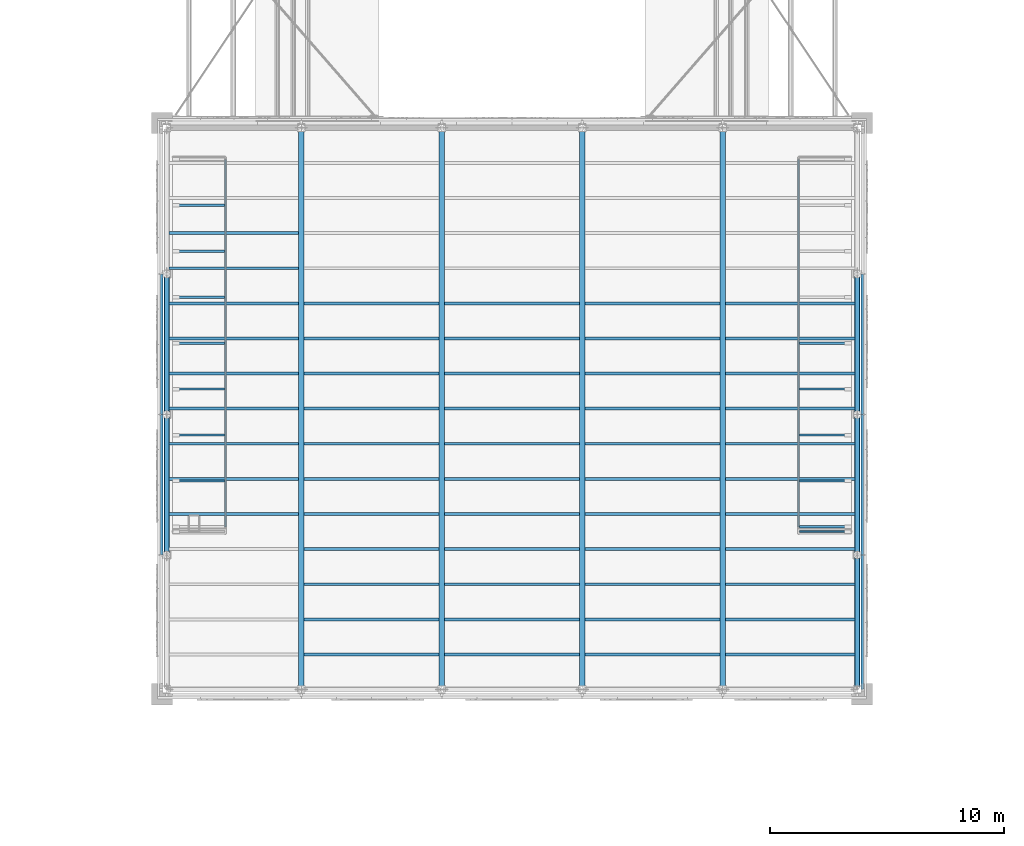
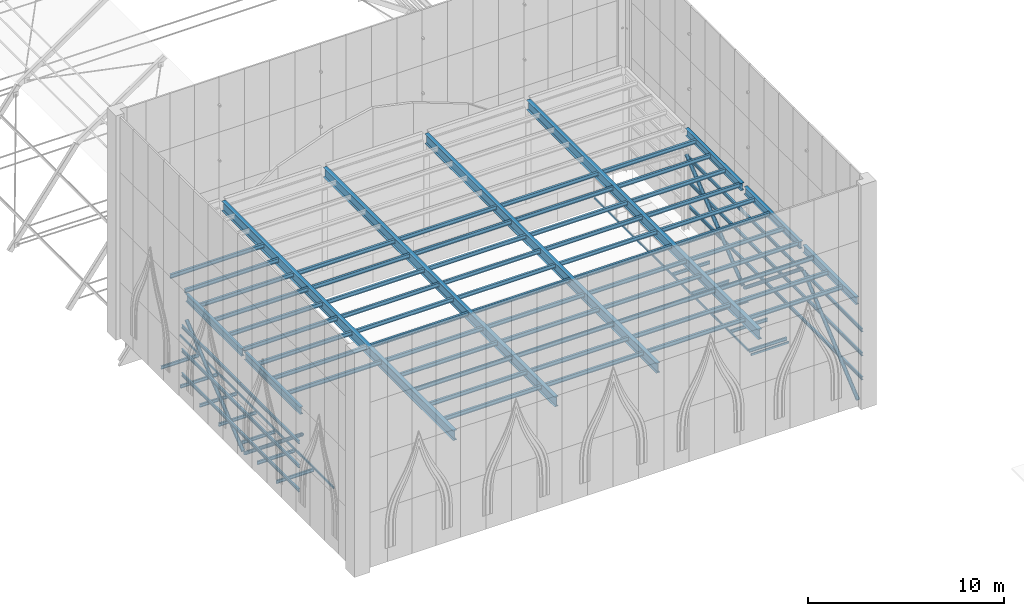
# One storey, part 3 of 43: 92 beams, 5 members.
"""IFC4 building model written with IfcOpenShell, lengths in metres."""

import ifcopenshell
import ifcopenshell.guid

model = None  # the IFC model being written
_history = None  # IfcOwnerHistory: only IFC2X3 demands one
_inside = {}  # id of a spatial element -> (the spatial element, [elements in it])
_under = {}  # id of a project, library or spatial element -> (it, [spatial elements below it])
_declared = {}  # id of a project -> (the project, [libraries it declares])
_typed = {}  # id of a type object -> (the type object, [elements of that type])
_made_of = {}  # id of a material, layer set ... -> (it, [elements and type objects made of it])


def new_model(schema):
    """Start an empty IFC model of exactly this schema.

    Asked for "IFC4X3", IfcOpenShell would pick the latest addendum, in which some entities
    have other attributes; the version numbers below select the first issue.
    IFC2X3 requires an IfcOwnerHistory on every rooted entity: one is made here for all.
    """
    global model, _history
    if schema == "IFC4X3":
        model = ifcopenshell.file(schema_version=(4, 3, 0, 0))
    else:
        model = ifcopenshell.file(schema=schema)
    _inside.clear()
    _under.clear()
    _declared.clear()
    _typed.clear()
    _made_of.clear()
    _history = None
    if model.schema == "IFC2X3":
        org = make("IfcOrganization", Name="unknown")
        user = make(
            "IfcPersonAndOrganization",
            ThePerson=make("IfcPerson", FamilyName="unknown"),
            TheOrganization=org,
        )
        app = make(
            "IfcApplication",
            ApplicationDeveloper=org,
            Version="unknown",
            ApplicationFullName="unknown",
            ApplicationIdentifier="unknown",
        )
        _history = make(
            "IfcOwnerHistory",
            OwningUser=user,
            OwningApplication=app,
            ChangeAction="ADDED",
            CreationDate=0,
        )
    return model


def make(cls, **values):
    """One entity of the class cls with the attributes given. An attribute that is None is left unset."""
    return model.create_entity(
        cls, **{name: value for name, value in values.items() if value is not None}
    )


def rooted(cls, **values):
    """An entity with a GlobalId (a new one), such as an element, a storey or a relation."""
    return make(cls, GlobalId=ifcopenshell.guid.new(), OwnerHistory=_history, **values)


def si_unit(unit_type, name, prefix=None):
    """IfcSIUnit, for example si_unit("LENGTHUNIT", "METRE", prefix="MILLI")."""
    return make("IfcSIUnit", UnitType=unit_type, Prefix=prefix, Name=name)


def assignment(units):
    """IfcUnitAssignment: the units of a project."""
    return None if units is None else make("IfcUnitAssignment", Units=units)


def point(xyz):
    """IfcCartesianPoint."""
    return None if xyz is None else make("IfcCartesianPoint", Coordinates=xyz)


def direction(xyz):
    """IfcDirection."""
    return None if xyz is None else make("IfcDirection", DirectionRatios=xyz)


def frame(location, z_axis=None, x_axis=None):
    """IfcAxis2Placement3D, a coordinate frame: its origin and axes. An axis left out is left unset."""
    return make(
        "IfcAxis2Placement3D",
        Location=point(location),
        Axis=direction(z_axis),
        RefDirection=direction(x_axis),
    )


def frame_2d(location, x_axis=None):
    """IfcAxis2Placement2D, a coordinate frame in the plane: its origin and x axis."""
    return make(
        "IfcAxis2Placement2D", Location=point(location), RefDirection=direction(x_axis)
    )


def origin():
    """The frame at (0, 0, 0) with its axes left unset."""
    return frame((0.0, 0.0, 0.0))


def origin_2d():
    """The frame at (0, 0) in the plane with its x axis left unset."""
    return frame_2d((0.0, 0.0))


def place(relative_to, where):
    """IfcLocalPlacement: puts the frame where relative to a parent placement (None: the world)."""
    return make(
        "IfcLocalPlacement", PlacementRelTo=relative_to, RelativePlacement=where
    )


def context(
    kind, dimensions, precision=None, world=None, true_north=None, identifier=None
):
    """IfcGeometricRepresentationContext, for example the 3D "Model" context."""
    return make(
        "IfcGeometricRepresentationContext",
        ContextIdentifier=identifier,
        ContextType=kind,
        CoordinateSpaceDimension=dimensions,
        Precision=precision,
        WorldCoordinateSystem=world,
        TrueNorth=true_north,
    )


def subcontext(parent, identifier, kind, view, scale=None):
    """IfcGeometricRepresentationSubContext, for example "Body" below "Model"."""
    return make(
        "IfcGeometricRepresentationSubContext",
        ContextIdentifier=identifier,
        ContextType=kind,
        ParentContext=parent,
        TargetScale=scale,
        TargetView=view,
    )


def project(units=None, contexts=None):
    """IfcProject with its units and contexts."""
    return rooted(
        "IfcProject",
        Name="project",
        RepresentationContexts=contexts,
        UnitsInContext=assignment(units),
    )


def spatial(cls, under=None, at=None, **own):
    """A site, building, storey or space (cls), placed at a placement, below another one or the project."""
    s = rooted(cls, ObjectPlacement=at, **own)
    if under is not None:
        _under.setdefault(under.id(), (under, []))[1].append(s)
    return s


def profile(cls, at=None, kind="AREA", **sizes):
    """A parametric profile (cls). Its sizes go by their IFC names, for example OverallWidth=200.0."""
    return make(cls, ProfileType=kind, Position=at, **sizes)


def hollow_rectangle(**sizes):
    """IfcRectangleHollowProfileDef."""
    return profile("IfcRectangleHollowProfileDef", **sizes)


def hollow_circle(**sizes):
    """IfcCircleHollowProfileDef."""
    return profile("IfcCircleHollowProfileDef", **sizes)


def i_section(**sizes):
    """IfcIShapeProfileDef."""
    return profile("IfcIShapeProfileDef", **sizes)


def extrude(swept, where, along, depth):
    """IfcExtrudedAreaSolid: the profile swept, set in the frame where, extruded along a direction by depth."""
    return make(
        "IfcExtrudedAreaSolid",
        SweptArea=swept,
        Position=where,
        ExtrudedDirection=direction(along),
        Depth=depth,
    )


def shape(context_of_items, identifier, shape_type, items):
    """IfcShapeRepresentation: the items that make up one representation, for example the "Body"."""
    return make(
        "IfcShapeRepresentation",
        ContextOfItems=context_of_items,
        RepresentationIdentifier=identifier,
        RepresentationType=shape_type,
        Items=items,
    )


def material(Name=None, Category=None):
    """IfcMaterial."""
    return make("IfcMaterial", Name=Name, Category=Category)


def material_profile(
    of_material, cross_section, Name=None, Category=None, Priority=None
):
    """IfcMaterialProfile: a cross section and its material."""
    return make(
        "IfcMaterialProfile",
        Name=Name,
        Material=of_material,
        Profile=cross_section,
        Priority=Priority,
        Category=Category,
    )


def profile_set(profiles, Name=None, composite=None):
    """IfcMaterialProfileSet."""
    return make(
        "IfcMaterialProfileSet",
        Name=Name,
        MaterialProfiles=profiles,
        CompositeProfile=composite,
    )


def made_of(thing, what):
    """Note that an element or type object is made of a material, layer set ...; save() writes the relation."""
    if what is not None:
        _made_of.setdefault(what.id(), (what, []))[1].append(thing)
    return thing


def type_object(cls, material=None, **own):
    """A type object (cls), such as IfcWallType, which elements share."""
    return made_of(rooted(cls, **own), material)


def element(
    cls,
    number,
    at=None,
    inside=None,
    cuts=None,
    type_object=None,
    material=None,
    context=None,
    identifier="Body",
    shape_type=None,
    held_by="IfcProductDefinitionShape",
    body=None,
    shapes=None,
    **own,
):
    """One element of the class cls, such as IfcWall. Its Tag is "e" and its number.

    at: its placement. inside: the storey or other place that contains it. cuts: it is an
    opening in that element (IfcRelVoidsElement). A single representation is given by context,
    identifier, shape_type and body (its items); several are given by shapes. held_by: the class
    of the entity that holds the representations. save() writes the other relations.
    """
    e = rooted(cls, Tag="e%d" % number, ObjectPlacement=at, **own)
    if body is not None:
        shapes = [shape(context, identifier, shape_type, body)]
    if shapes is not None:
        e.Representation = make(held_by, Representations=shapes)
    if inside is not None:
        _inside.setdefault(inside.id(), (inside, []))[1].append(e)
    if cuts is not None:
        rooted(
            "IfcRelVoidsElement", RelatingBuildingElement=cuts, RelatedOpeningElement=e
        )
    if type_object is not None:
        _typed.setdefault(type_object.id(), (type_object, []))[1].append(e)
    return made_of(e, material)


def aggregate(whole, parts):
    """IfcRelAggregates: a whole, such as a stair, and the parts it consists of."""
    return rooted("IfcRelAggregates", RelatingObject=whole, RelatedObjects=parts)


def save(model, path):
    """Write the relations noted so far, then the file.

    IfcRelAggregates (storeys below a building ...), IfcRelContainedInSpatialStructure (elements
    in a storey), IfcRelDefinesByType, IfcRelAssociatesMaterial and IfcRelDeclares: one each for
    every whole, place, type object, material and project.
    """
    for whole, parts in _under.values():
        aggregate(whole, parts)
    for where, things in _inside.values():
        rooted(
            "IfcRelContainedInSpatialStructure",
            RelatedElements=things,
            RelatingStructure=where,
        )
    for kind, things in _typed.values():
        rooted("IfcRelDefinesByType", RelatedObjects=things, RelatingType=kind)
    for what, things in _made_of.values():
        rooted("IfcRelAssociatesMaterial", RelatedObjects=things, RelatingMaterial=what)
    for by, libraries in _declared.values():
        rooted("IfcRelDeclares", RelatingContext=by, RelatedDefinitions=libraries)
    model.write(path)


model = new_model("IFC4")

# Units and contexts
model_context = context("Model", 3, precision=1e-05, world=origin(), true_north=direction((0.0, 1.0)))
body_context = subcontext(model_context, "Body", "Model", "MODEL_VIEW")
ifc_project = project(units=[si_unit("LENGTHUNIT", "METRE"), si_unit("AREAUNIT", "SQUARE_METRE"), si_unit("VOLUMEUNIT", "CUBIC_METRE"), si_unit("PLANEANGLEUNIT", "RADIAN"), si_unit("MASSUNIT", "GRAM", prefix="KILO")], contexts=[model_context])

# Site, building, storey
site_placement = place(None, origin())
site = spatial("IfcSite", under=ifc_project, at=site_placement, CompositionType="ELEMENT")
building_placement = place(site_placement, origin())
building = spatial("IfcBuilding", under=site, at=building_placement, Name="Saffron Lane Theatres", CompositionType="ELEMENT")
storey_placement = place(building_placement, frame((0.0, 0.0, 23.0)))
storey = spatial("IfcBuildingStorey", under=building, at=storey_placement, Name="Roof", CompositionType="ELEMENT", Elevation=23.0)

# Beams
ifc_material_1 = material(Name="Steel Grade 350", Category="steel")
ifc_material_profile_1 = material_profile(ifc_material_1, i_section(OverallWidth=0.09912109375, OverallDepth=0.197998046875, WebThickness=0.00439453125, FlangeThickness=0.007080078125, FilletRadius=0.010986328125, at=origin_2d()))
ifc_profile_set_1 = profile_set([ifc_material_profile_1], Name="Steel Grade 350")
beam_type_1 = type_object("IfcBeamType", Name="ST-GALLERY BEAM 200UB18.2", PredefinedType="BEAM", material=ifc_profile_set_1)
for number, where, z_axis, x_axis, name in (
    (1, (18.5, 39.16259765625, -0.14892578125), (1.0, 0.0, 0.0), (0.0, 1.0, 0.0), "FBW23-3"),
    (2, (18.5, 41.125, -0.14892578125), (1.0, 0.0, 0.0), (0.0, 1.0, 0.0), "FBW23-4"),
    (3, (18.5, 43.08740234375, -0.14892578125), (1.0, 0.0, 0.0), (0.0, 1.0, 0.0), "FBW23-5"),
    (4, (18.5, 45.050048828125, -0.14892578125), (1.0, 0.0, 0.0), (0.0, 1.0, 0.0), "FBW23-6"),
    (5, (18.5, 47.012451171875, -0.14892578125), (1.0, 0.0, 0.0), (0.0, 1.0, 0.0), "FBW23-7"),
    (6, (18.5, 48.97509765625, -0.14892578125), (1.0, 0.0, 0.0), (0.0, 1.0, 0.0), "FBW23-8"),
    (7, (18.5, 50.9375, -0.14892578125), (1.0, 0.0, 0.0), (0.0, 1.0, 0.0), "FBW23-9"),
    (8, (45.27490234375, 37.199951171875, -0.14892578125), (1.0, 0.0, 0.0), (0.0, 1.0, 0.0), "FBE23-2"),
    (9, (45.27490234375, 39.16259765625, -0.14892578125), (1.0, 0.0, 0.0), (0.0, 1.0, 0.0), "FBE23-3"),
    (10, (45.27490234375, 41.125, -0.14892578125), (1.0, 0.0, 0.0), (0.0, 1.0, 0.0), "FBE23-4"),
    (11, (45.27490234375, 43.08740234375, -0.14892578125), (1.0, 0.0, 0.0), (0.0, 1.0, 0.0), "FBE23-5"),
    (12, (45.27490234375, 45.050048828125, -0.14892578125), (1.0, 0.0, 0.0), (0.0, 1.0, 0.0), "FBE23-6"),
):
    element("IfcBeam", number, at=place(storey_placement, frame(where, z_axis=z_axis, x_axis=x_axis)), inside=storey, type_object=beam_type_1, Name=name, PredefinedType="BEAM", context=body_context, shape_type="SweptSolid", body=[
        extrude(i_section(OverallWidth=0.09912109375, OverallDepth=0.197998046875, WebThickness=0.00439453125, FlangeThickness=0.007080078125, FilletRadius=0.010986328125, at=origin_2d()), origin(), (0.0, 0.0, 1.0), 2.22509765625),
    ])
ifc_material_2 = material(Name="Steel Grade 350", Category="steel")
ifc_material_profile_2 = material_profile(ifc_material_2, hollow_rectangle(XDim=0.074951171875, YDim=0.125, WallThickness=0.0048828125, InnerFilletRadius=0.00244140625, OuterFilletRadius=0.007568359375, at=origin_2d()))
ifc_profile_set_2 = profile_set([ifc_material_profile_2], Name="Steel Grade 350")
beam_type_2 = type_object("IfcBeamType", Name="ST-GALLERY EDGE 125x75x5 RHS", PredefinedType="BEAM", material=ifc_profile_set_2)
beam_1_placement = place(storey_placement, frame((20.762451171875, 37.199951171875, -0.112548828125), z_axis=(0.0, 1.0, 0.0), x_axis=(-1.0, 0.0, 0.0)))
element("IfcBeam", 13, at=beam_1_placement, inside=storey, type_object=beam_type_2, Name="FEW23", PredefinedType="BEAM", context=body_context, shape_type="SweptSolid", body=[
    extrude(hollow_rectangle(XDim=0.074951171875, YDim=0.125, WallThickness=0.0048828125, InnerFilletRadius=0.00244140625, OuterFilletRadius=0.007568359375, at=origin_2d()), origin(), (0.0, 0.0, 1.0), 15.699951171875),
])
beam_2_placement = place(storey_placement, frame((45.27490234375, 37.0, -0.262451171875), z_axis=(1.0, 0.0, 0.0), x_axis=(0.0, 1.0, 0.0)))
element("IfcBeam", 14, at=beam_2_placement, inside=storey, type_object=beam_type_2, Name="FBE23-1", PredefinedType="BEAM", context=body_context, shape_type="SweptSolid", body=[
    extrude(hollow_rectangle(XDim=0.074951171875, YDim=0.125, WallThickness=0.0048828125, InnerFilletRadius=0.00244140625, OuterFilletRadius=0.007568359375, at=origin_2d()), origin(), (0.0, 0.0, 1.0), 2.22509765625),
])
beam_3_placement = place(storey_placement, frame((45.237548828125, 37.199951171875, -0.112548828125), z_axis=(0.0, 1.0, 0.0), x_axis=(-1.0, 0.0, 0.0)))
element("IfcBeam", 15, at=beam_3_placement, inside=storey, type_object=beam_type_2, Name="FEE23", PredefinedType="BEAM", context=body_context, shape_type="SweptSolid", body=[
    extrude(hollow_rectangle(XDim=0.074951171875, YDim=0.125, WallThickness=0.0048828125, InnerFilletRadius=0.00244140625, OuterFilletRadius=0.007568359375, at=origin_2d()), origin(), (0.0, 0.0, 1.0), 15.699951171875),
])
ifc_material_3 = material(Name="Steel Grade 350", Category="steel")
ifc_material_profile_3 = material_profile(ifc_material_3, i_section(OverallWidth=0.19091796875, OverallDepth=0.4599609375, WebThickness=0.010009765625, FlangeThickness=0.01611328125, FilletRadius=0.010986328125, at=origin_2d()))
ifc_profile_set_3 = profile_set([ifc_material_profile_3], Name="Steel Grade 350")
beam_type_3 = type_object("IfcBeamType", Name="ST-GRIDIRON GIRDER 460UB82.1", PredefinedType="BEAM", material=ifc_profile_set_3)
for number, where, z_axis, x_axis, name in (
    (16, (18.25, 36.155517578125, 6.219970703125), (0.0, 1.0, 0.0), (-1.0, 0.0, 0.0), "TG12"),
    (17, (18.25, 42.155517578125, 6.219970703125), (0.0, 1.0, 0.0), (-1.0, 0.0, 0.0), "TG13"),
):
    element("IfcBeam", number, at=place(storey_placement, frame(where, z_axis=z_axis, x_axis=x_axis)), inside=storey, type_object=beam_type_3, Name=name, PredefinedType="BEAM", context=body_context, shape_type="SweptSolid", body=[
        extrude(i_section(OverallWidth=0.19091796875, OverallDepth=0.4599609375, WebThickness=0.010009765625, FlangeThickness=0.01611328125, FilletRadius=0.010986328125, at=origin_2d()), origin(), (0.0, 0.0, 1.0), 5.68896484375),
    ])
beam_4_placement = place(storey_placement, frame((47.75, 30.41357421875, 6.219970703125), z_axis=(0.0, 1.0, 0.0), x_axis=(-1.0, 0.0, 0.0)))
element("IfcBeam", 18, at=beam_4_placement, inside=storey, type_object=beam_type_3, Name="TG15", PredefinedType="BEAM", context=body_context, shape_type="SweptSolid", body=[
    extrude(i_section(OverallWidth=0.19091796875, OverallDepth=0.4599609375, WebThickness=0.010009765625, FlangeThickness=0.01611328125, FilletRadius=0.010986328125, at=origin_2d()), origin(), (0.0, 0.0, 1.0), 5.430908203125),
])
for number, where, z_axis, x_axis, name in (
    (19, (47.75, 36.155517578125, 6.219970703125), (0.0, 1.0, 0.0), (-1.0, 0.0, 0.0), "TG16"),
    (20, (47.75, 42.155517578125, 6.219970703125), (0.0, 1.0, 0.0), (-1.0, 0.0, 0.0), "TG17"),
):
    element("IfcBeam", number, at=place(storey_placement, frame(where, z_axis=z_axis, x_axis=x_axis)), inside=storey, type_object=beam_type_3, Name=name, PredefinedType="BEAM", context=body_context, shape_type="SweptSolid", body=[
        extrude(i_section(OverallWidth=0.19091796875, OverallDepth=0.4599609375, WebThickness=0.010009765625, FlangeThickness=0.01611328125, FilletRadius=0.010986328125, at=origin_2d()), origin(), (0.0, 0.0, 1.0), 5.68896484375),
    ])
ifc_material_4 = material(Name="Steel Grade 350", Category="steel")
ifc_material_profile_4 = material_profile(ifc_material_4, i_section(OverallWidth=0.1240234375, OverallDepth=0.248046875, WebThickness=0.0048828125, FlangeThickness=0.008056640625, FilletRadius=0.011962890625, at=origin_2d()))
ifc_profile_set_4 = profile_set([ifc_material_profile_4], Name="Steel Grade 350")
beam_type_4 = type_object("IfcBeamType", Name="ST-GRIDIRON JOIST 250UB25.7", PredefinedType="JOIST", material=ifc_profile_set_4)
for number, where, z_axis, x_axis, name in (
    (21, (24.114501953125, 33.25, 6.325927734375), (1.0, 0.0, 0.0), (0.0, 1.0, 0.0), "TJ2"),
    (22, (30.114501953125, 33.25, 6.325927734375), (1.0, 0.0, 0.0), (0.0, 1.0, 0.0), "TJ3"),
    (23, (36.114501953125, 33.25, 6.325927734375), (1.0, 0.0, 0.0), (0.0, 1.0, 0.0), "TJ4"),
):
    element("IfcBeam", number, at=place(storey_placement, frame(where, z_axis=z_axis, x_axis=x_axis)), inside=storey, type_object=beam_type_4, Name=name, PredefinedType="JOIST", context=body_context, shape_type="SweptSolid", body=[
        extrude(i_section(OverallWidth=0.1240234375, OverallDepth=0.248046875, WebThickness=0.0048828125, FlangeThickness=0.008056640625, FilletRadius=0.011962890625, at=origin_2d()), origin(), (0.0, 0.0, 1.0), 5.77099609375),
    ])
beam_5_placement = place(storey_placement, frame((42.114501953125, 33.25, 6.325927734375), z_axis=(1.0, 0.0, 0.0), x_axis=(0.0, 1.0, 0.0)))
element("IfcBeam", 24, at=beam_5_placement, inside=storey, type_object=beam_type_4, Name="TJ5", PredefinedType="JOIST", context=body_context, shape_type="SweptSolid", body=[
    extrude(i_section(OverallWidth=0.1240234375, OverallDepth=0.248046875, WebThickness=0.0048828125, FlangeThickness=0.008056640625, FilletRadius=0.011962890625, at=origin_2d()), origin(), (0.0, 0.0, 1.0), 5.5400390625),
])
for number, where, z_axis, x_axis, name in (
    (25, (24.114501953125, 36.25, 6.325927734375), (1.0, 0.0, 0.0), (0.0, 1.0, 0.0), "TJ7"),
    (26, (30.114501953125, 36.25, 6.325927734375), (1.0, 0.0, 0.0), (0.0, 1.0, 0.0), "TJ8"),
    (27, (36.114501953125, 36.25, 6.325927734375), (1.0, 0.0, 0.0), (0.0, 1.0, 0.0), "TJ9"),
):
    element("IfcBeam", number, at=place(storey_placement, frame(where, z_axis=z_axis, x_axis=x_axis)), inside=storey, type_object=beam_type_4, Name=name, PredefinedType="JOIST", context=body_context, shape_type="SweptSolid", body=[
        extrude(i_section(OverallWidth=0.1240234375, OverallDepth=0.248046875, WebThickness=0.0048828125, FlangeThickness=0.008056640625, FilletRadius=0.011962890625, at=origin_2d()), origin(), (0.0, 0.0, 1.0), 5.77099609375),
    ])
for number, where, z_axis, x_axis, name in (
    (28, (42.114501953125, 36.25, 6.325927734375), (1.0, 0.0, 0.0), (0.0, 1.0, 0.0), "TJ10"),
    (29, (18.345458984375, 39.25, 6.325927734375), (1.0, 0.0, 0.0), (0.0, 1.0, 0.0), "TJ11"),
):
    element("IfcBeam", number, at=place(storey_placement, frame(where, z_axis=z_axis, x_axis=x_axis)), inside=storey, type_object=beam_type_4, Name=name, PredefinedType="JOIST", context=body_context, shape_type="SweptSolid", body=[
        extrude(i_section(OverallWidth=0.1240234375, OverallDepth=0.248046875, WebThickness=0.0048828125, FlangeThickness=0.008056640625, FilletRadius=0.011962890625, at=origin_2d()), origin(), (0.0, 0.0, 1.0), 5.5400390625),
    ])
for number, where, z_axis, x_axis, name in (
    (30, (24.114501953125, 39.25, 6.325927734375), (1.0, 0.0, 0.0), (0.0, 1.0, 0.0), "TJ12"),
    (31, (30.114501953125, 39.25, 6.325927734375), (1.0, 0.0, 0.0), (0.0, 1.0, 0.0), "TJ13"),
    (32, (36.114501953125, 39.25, 6.325927734375), (1.0, 0.0, 0.0), (0.0, 1.0, 0.0), "TJ14"),
):
    element("IfcBeam", number, at=place(storey_placement, frame(where, z_axis=z_axis, x_axis=x_axis)), inside=storey, type_object=beam_type_4, Name=name, PredefinedType="JOIST", context=body_context, shape_type="SweptSolid", body=[
        extrude(i_section(OverallWidth=0.1240234375, OverallDepth=0.248046875, WebThickness=0.0048828125, FlangeThickness=0.008056640625, FilletRadius=0.011962890625, at=origin_2d()), origin(), (0.0, 0.0, 1.0), 5.77099609375),
    ])
for number, where, z_axis, x_axis, name in (
    (33, (42.114501953125, 39.25, 6.325927734375), (1.0, 0.0, 0.0), (0.0, 1.0, 0.0), "TJ15"),
    (34, (18.345458984375, 42.25, 6.325927734375), (1.0, 0.0, 0.0), (0.0, 1.0, 0.0), "TJ16"),
):
    element("IfcBeam", number, at=place(storey_placement, frame(where, z_axis=z_axis, x_axis=x_axis)), inside=storey, type_object=beam_type_4, Name=name, PredefinedType="JOIST", context=body_context, shape_type="SweptSolid", body=[
        extrude(i_section(OverallWidth=0.1240234375, OverallDepth=0.248046875, WebThickness=0.0048828125, FlangeThickness=0.008056640625, FilletRadius=0.011962890625, at=origin_2d()), origin(), (0.0, 0.0, 1.0), 5.5400390625),
    ])
for number, where, z_axis, x_axis, name in (
    (35, (24.114501953125, 42.25, 6.325927734375), (1.0, 0.0, 0.0), (0.0, 1.0, 0.0), "TJ17"),
    (36, (30.114501953125, 42.25, 6.325927734375), (1.0, 0.0, 0.0), (0.0, 1.0, 0.0), "TJ18"),
    (37, (36.114501953125, 42.25, 6.325927734375), (1.0, 0.0, 0.0), (0.0, 1.0, 0.0), "TJ19"),
):
    element("IfcBeam", number, at=place(storey_placement, frame(where, z_axis=z_axis, x_axis=x_axis)), inside=storey, type_object=beam_type_4, Name=name, PredefinedType="JOIST", context=body_context, shape_type="SweptSolid", body=[
        extrude(i_section(OverallWidth=0.1240234375, OverallDepth=0.248046875, WebThickness=0.0048828125, FlangeThickness=0.008056640625, FilletRadius=0.011962890625, at=origin_2d()), origin(), (0.0, 0.0, 1.0), 5.77099609375),
    ])
for number, where, z_axis, x_axis, name in (
    (38, (42.114501953125, 42.25, 6.325927734375), (1.0, 0.0, 0.0), (0.0, 1.0, 0.0), "TJ20"),
    (39, (18.345458984375, 45.25, 6.325927734375), (1.0, 0.0, 0.0), (0.0, 1.0, 0.0), "TJ21"),
):
    element("IfcBeam", number, at=place(storey_placement, frame(where, z_axis=z_axis, x_axis=x_axis)), inside=storey, type_object=beam_type_4, Name=name, PredefinedType="JOIST", context=body_context, shape_type="SweptSolid", body=[
        extrude(i_section(OverallWidth=0.1240234375, OverallDepth=0.248046875, WebThickness=0.0048828125, FlangeThickness=0.008056640625, FilletRadius=0.011962890625, at=origin_2d()), origin(), (0.0, 0.0, 1.0), 5.5400390625),
    ])
for number, where, z_axis, x_axis, name in (
    (40, (24.114501953125, 45.25, 6.325927734375), (1.0, 0.0, 0.0), (0.0, 1.0, 0.0), "TJ22"),
    (41, (30.114501953125, 45.25, 6.325927734375), (1.0, 0.0, 0.0), (0.0, 1.0, 0.0), "TJ23"),
    (42, (36.114501953125, 45.25, 6.325927734375), (1.0, 0.0, 0.0), (0.0, 1.0, 0.0), "TJ24"),
):
    element("IfcBeam", number, at=place(storey_placement, frame(where, z_axis=z_axis, x_axis=x_axis)), inside=storey, type_object=beam_type_4, Name=name, PredefinedType="JOIST", context=body_context, shape_type="SweptSolid", body=[
        extrude(i_section(OverallWidth=0.1240234375, OverallDepth=0.248046875, WebThickness=0.0048828125, FlangeThickness=0.008056640625, FilletRadius=0.011962890625, at=origin_2d()), origin(), (0.0, 0.0, 1.0), 5.77099609375),
    ])
for number, where, z_axis, x_axis, name in (
    (43, (42.114501953125, 45.25, 6.325927734375), (1.0, 0.0, 0.0), (0.0, 1.0, 0.0), "TJ25"),
    (44, (18.345458984375, 48.25, 6.325927734375), (1.0, 0.0, 0.0), (0.0, 1.0, 0.0), "TJ26"),
):
    element("IfcBeam", number, at=place(storey_placement, frame(where, z_axis=z_axis, x_axis=x_axis)), inside=storey, type_object=beam_type_4, Name=name, PredefinedType="JOIST", context=body_context, shape_type="SweptSolid", body=[
        extrude(i_section(OverallWidth=0.1240234375, OverallDepth=0.248046875, WebThickness=0.0048828125, FlangeThickness=0.008056640625, FilletRadius=0.011962890625, at=origin_2d()), origin(), (0.0, 0.0, 1.0), 5.5400390625),
    ])
for number, where, z_axis, x_axis, name in (
    (45, (24.114501953125, 31.75, 6.325927734375), (1.0, 0.0, 0.0), (0.0, 1.0, 0.0), "TM2"),
    (46, (30.114501953125, 31.75, 6.325927734375), (1.0, 0.0, 0.0), (0.0, 1.0, 0.0), "TM3"),
    (47, (36.114501953125, 31.75, 6.325927734375), (1.0, 0.0, 0.0), (0.0, 1.0, 0.0), "TM4"),
):
    element("IfcBeam", number, at=place(storey_placement, frame(where, z_axis=z_axis, x_axis=x_axis)), inside=storey, type_object=beam_type_4, Name=name, PredefinedType="JOIST", context=body_context, shape_type="SweptSolid", body=[
        extrude(i_section(OverallWidth=0.1240234375, OverallDepth=0.248046875, WebThickness=0.0048828125, FlangeThickness=0.008056640625, FilletRadius=0.011962890625, at=origin_2d()), origin(), (0.0, 0.0, 1.0), 5.77099609375),
    ])
beam_6_placement = place(storey_placement, frame((42.114501953125, 31.75, 6.325927734375), z_axis=(1.0, 0.0, 0.0), x_axis=(0.0, 1.0, 0.0)))
element("IfcBeam", 48, at=beam_6_placement, inside=storey, type_object=beam_type_4, Name="TM5", PredefinedType="JOIST", context=body_context, shape_type="SweptSolid", body=[
    extrude(i_section(OverallWidth=0.1240234375, OverallDepth=0.248046875, WebThickness=0.0048828125, FlangeThickness=0.008056640625, FilletRadius=0.011962890625, at=origin_2d()), origin(), (0.0, 0.0, 1.0), 5.5400390625),
])
for number, where, z_axis, x_axis, name in (
    (49, (24.114501953125, 34.75, 6.325927734375), (1.0, 0.0, 0.0), (0.0, 1.0, 0.0), "TM7"),
    (50, (30.114501953125, 34.75, 6.325927734375), (1.0, 0.0, 0.0), (0.0, 1.0, 0.0), "TM8"),
    (51, (36.114501953125, 34.75, 6.325927734375), (1.0, 0.0, 0.0), (0.0, 1.0, 0.0), "TM9"),
):
    element("IfcBeam", number, at=place(storey_placement, frame(where, z_axis=z_axis, x_axis=x_axis)), inside=storey, type_object=beam_type_4, Name=name, PredefinedType="JOIST", context=body_context, shape_type="SweptSolid", body=[
        extrude(i_section(OverallWidth=0.1240234375, OverallDepth=0.248046875, WebThickness=0.0048828125, FlangeThickness=0.008056640625, FilletRadius=0.011962890625, at=origin_2d()), origin(), (0.0, 0.0, 1.0), 5.77099609375),
    ])
for number, where, z_axis, x_axis, name in (
    (52, (42.114501953125, 34.75, 6.325927734375), (1.0, 0.0, 0.0), (0.0, 1.0, 0.0), "TM10"),
    (53, (18.345458984375, 37.75, 6.325927734375), (1.0, 0.0, 0.0), (0.0, 1.0, 0.0), "TM11"),
):
    element("IfcBeam", number, at=place(storey_placement, frame(where, z_axis=z_axis, x_axis=x_axis)), inside=storey, type_object=beam_type_4, Name=name, PredefinedType="JOIST", context=body_context, shape_type="SweptSolid", body=[
        extrude(i_section(OverallWidth=0.1240234375, OverallDepth=0.248046875, WebThickness=0.0048828125, FlangeThickness=0.008056640625, FilletRadius=0.011962890625, at=origin_2d()), origin(), (0.0, 0.0, 1.0), 5.5400390625),
    ])
for number, where, z_axis, x_axis, name in (
    (54, (24.114501953125, 37.75, 6.325927734375), (1.0, 0.0, 0.0), (0.0, 1.0, 0.0), "TM12"),
    (55, (30.114501953125, 37.75, 6.325927734375), (1.0, 0.0, 0.0), (0.0, 1.0, 0.0), "TM13"),
    (56, (36.114501953125, 37.75, 6.325927734375), (1.0, 0.0, 0.0), (0.0, 1.0, 0.0), "TM14"),
):
    element("IfcBeam", number, at=place(storey_placement, frame(where, z_axis=z_axis, x_axis=x_axis)), inside=storey, type_object=beam_type_4, Name=name, PredefinedType="JOIST", context=body_context, shape_type="SweptSolid", body=[
        extrude(i_section(OverallWidth=0.1240234375, OverallDepth=0.248046875, WebThickness=0.0048828125, FlangeThickness=0.008056640625, FilletRadius=0.011962890625, at=origin_2d()), origin(), (0.0, 0.0, 1.0), 5.77099609375),
    ])
for number, where, z_axis, x_axis, name in (
    (57, (42.114501953125, 37.75, 6.325927734375), (1.0, 0.0, 0.0), (0.0, 1.0, 0.0), "TM15"),
    (58, (18.345458984375, 40.75, 6.325927734375), (1.0, 0.0, 0.0), (0.0, 1.0, 0.0), "TM16"),
):
    element("IfcBeam", number, at=place(storey_placement, frame(where, z_axis=z_axis, x_axis=x_axis)), inside=storey, type_object=beam_type_4, Name=name, PredefinedType="JOIST", context=body_context, shape_type="SweptSolid", body=[
        extrude(i_section(OverallWidth=0.1240234375, OverallDepth=0.248046875, WebThickness=0.0048828125, FlangeThickness=0.008056640625, FilletRadius=0.011962890625, at=origin_2d()), origin(), (0.0, 0.0, 1.0), 5.5400390625),
    ])
for number, where, z_axis, x_axis, name in (
    (59, (24.114501953125, 40.75, 6.325927734375), (1.0, 0.0, 0.0), (0.0, 1.0, 0.0), "TM17"),
    (60, (30.114501953125, 40.75, 6.325927734375), (1.0, 0.0, 0.0), (0.0, 1.0, 0.0), "TM18"),
    (61, (36.114501953125, 40.75, 6.325927734375), (1.0, 0.0, 0.0), (0.0, 1.0, 0.0), "TM19"),
):
    element("IfcBeam", number, at=place(storey_placement, frame(where, z_axis=z_axis, x_axis=x_axis)), inside=storey, type_object=beam_type_4, Name=name, PredefinedType="JOIST", context=body_context, shape_type="SweptSolid", body=[
        extrude(i_section(OverallWidth=0.1240234375, OverallDepth=0.248046875, WebThickness=0.0048828125, FlangeThickness=0.008056640625, FilletRadius=0.011962890625, at=origin_2d()), origin(), (0.0, 0.0, 1.0), 5.77099609375),
    ])
for number, where, z_axis, x_axis, name in (
    (62, (42.114501953125, 40.75, 6.325927734375), (1.0, 0.0, 0.0), (0.0, 1.0, 0.0), "TM20"),
    (63, (18.345458984375, 43.75, 6.325927734375), (1.0, 0.0, 0.0), (0.0, 1.0, 0.0), "TM21"),
):
    element("IfcBeam", number, at=place(storey_placement, frame(where, z_axis=z_axis, x_axis=x_axis)), inside=storey, type_object=beam_type_4, Name=name, PredefinedType="JOIST", context=body_context, shape_type="SweptSolid", body=[
        extrude(i_section(OverallWidth=0.1240234375, OverallDepth=0.248046875, WebThickness=0.0048828125, FlangeThickness=0.008056640625, FilletRadius=0.011962890625, at=origin_2d()), origin(), (0.0, 0.0, 1.0), 5.5400390625),
    ])
for number, where, z_axis, x_axis, name in (
    (64, (24.114501953125, 43.75, 6.325927734375), (1.0, 0.0, 0.0), (0.0, 1.0, 0.0), "TM22"),
    (65, (30.114501953125, 43.75, 6.325927734375), (1.0, 0.0, 0.0), (0.0, 1.0, 0.0), "TM23"),
    (66, (36.114501953125, 43.75, 6.325927734375), (1.0, 0.0, 0.0), (0.0, 1.0, 0.0), "TM24"),
):
    element("IfcBeam", number, at=place(storey_placement, frame(where, z_axis=z_axis, x_axis=x_axis)), inside=storey, type_object=beam_type_4, Name=name, PredefinedType="JOIST", context=body_context, shape_type="SweptSolid", body=[
        extrude(i_section(OverallWidth=0.1240234375, OverallDepth=0.248046875, WebThickness=0.0048828125, FlangeThickness=0.008056640625, FilletRadius=0.011962890625, at=origin_2d()), origin(), (0.0, 0.0, 1.0), 5.77099609375),
    ])
for number, where, z_axis, x_axis, name in (
    (67, (42.114501953125, 43.75, 6.325927734375), (1.0, 0.0, 0.0), (0.0, 1.0, 0.0), "TM25"),
    (68, (18.345458984375, 46.75, 6.325927734375), (1.0, 0.0, 0.0), (0.0, 1.0, 0.0), "TM26"),
):
    element("IfcBeam", number, at=place(storey_placement, frame(where, z_axis=z_axis, x_axis=x_axis)), inside=storey, type_object=beam_type_4, Name=name, PredefinedType="JOIST", context=body_context, shape_type="SweptSolid", body=[
        extrude(i_section(OverallWidth=0.1240234375, OverallDepth=0.248046875, WebThickness=0.0048828125, FlangeThickness=0.008056640625, FilletRadius=0.011962890625, at=origin_2d()), origin(), (0.0, 0.0, 1.0), 5.5400390625),
    ])
for number, where, z_axis, x_axis, name in (
    (69, (24.114501953125, 46.75, 6.325927734375), (1.0, 0.0, 0.0), (0.0, 1.0, 0.0), "TM27"),
    (70, (30.114501953125, 46.75, 6.325927734375), (1.0, 0.0, 0.0), (0.0, 1.0, 0.0), "TM28"),
    (71, (36.114501953125, 46.75, 6.325927734375), (1.0, 0.0, 0.0), (0.0, 1.0, 0.0), "TM29"),
):
    element("IfcBeam", number, at=place(storey_placement, frame(where, z_axis=z_axis, x_axis=x_axis)), inside=storey, type_object=beam_type_4, Name=name, PredefinedType="JOIST", context=body_context, shape_type="SweptSolid", body=[
        extrude(i_section(OverallWidth=0.1240234375, OverallDepth=0.248046875, WebThickness=0.0048828125, FlangeThickness=0.008056640625, FilletRadius=0.011962890625, at=origin_2d()), origin(), (0.0, 0.0, 1.0), 5.77099609375),
    ])
for number, where, z_axis, x_axis, name in (
    (72, (42.114501953125, 46.75, 6.325927734375), (1.0, 0.0, 0.0), (0.0, 1.0, 0.0), "TM30"),
    (73, (18.345458984375, 49.75, 6.325927734375), (1.0, 0.0, 0.0), (0.0, 1.0, 0.0), "TM31"),
):
    element("IfcBeam", number, at=place(storey_placement, frame(where, z_axis=z_axis, x_axis=x_axis)), inside=storey, type_object=beam_type_4, Name=name, PredefinedType="JOIST", context=body_context, shape_type="SweptSolid", body=[
        extrude(i_section(OverallWidth=0.1240234375, OverallDepth=0.248046875, WebThickness=0.0048828125, FlangeThickness=0.008056640625, FilletRadius=0.011962890625, at=origin_2d()), origin(), (0.0, 0.0, 1.0), 5.5400390625),
    ])
ifc_material_5 = material(Name="Steel Grade 350", Category="steel")
ifc_material_profile_5 = material_profile(ifc_material_5, i_section(OverallWidth=0.22900390625, OverallDepth=0.612060546875, WebThickness=0.011962890625, FlangeThickness=0.01953125, FilletRadius=0.013916015625, at=origin_2d()))
ifc_profile_set_5 = profile_set([ifc_material_profile_5], Name="Steel Grade 350")
beam_type_5 = type_object("IfcBeamType", Name="ST-GRIDIRON PRIMARY 610UB125", PredefinedType="BEAM", material=ifc_profile_set_5)
for number, where, z_axis, x_axis, name in (
    (74, (24.0, 30.41357421875, 6.14404296875), (0.0, 1.0, 0.0), (-1.0, 0.0, 0.0), "TP1"),
    (75, (30.0, 30.41357421875, 6.14404296875), (0.0, 1.0, 0.0), (-1.0, 0.0, 0.0), "TP2"),
    (76, (36.0, 30.41357421875, 6.14404296875), (0.0, 1.0, 0.0), (-1.0, 0.0, 0.0), "TP3"),
    (77, (42.0, 30.41357421875, 6.14404296875), (0.0, 1.0, 0.0), (-1.0, 0.0, 0.0), "TP4"),
):
    element("IfcBeam", number, at=place(storey_placement, frame(where, z_axis=z_axis, x_axis=x_axis)), inside=storey, type_object=beam_type_5, Name=name, PredefinedType="BEAM", context=body_context, shape_type="SweptSolid", body=[
        extrude(i_section(OverallWidth=0.22900390625, OverallDepth=0.612060546875, WebThickness=0.011962890625, FlangeThickness=0.01953125, FilletRadius=0.013916015625, at=origin_2d()), origin(), (0.0, 0.0, 1.0), 23.6728515625),
    ])

# Members
ifc_material_6 = material(Name="Steel Grade 350", Category="steel")
ifc_material_profile_6 = material_profile(ifc_material_6, hollow_circle(Radius=0.109619140625, WallThickness=0.00830078125, at=origin_2d()))
ifc_profile_set_6 = profile_set([ifc_material_profile_6], Name="Steel Grade 350")
member_type = type_object("IfcMemberType", Name="ST-TOWER BRACE LO 219.1x8.2 CHS", PredefinedType="BRACE", material=ifc_profile_set_6)
for number, where, z_axis, x_axis, name in (
    (78, (18.25, 41.89453125, 0.085205078125), (0.0, -0.77768461101, 0.628654631573), (1.0, 0.0, 0.0), "TB23"),
    (79, (18.25, 42.10546875, 0.085205078125), (0.0, 0.77768461101, 0.628654631573), (-1.0, 0.0, 0.0), "TB25"),
):
    element("IfcMember", number, at=place(storey_placement, frame(where, z_axis=z_axis, x_axis=x_axis)), inside=storey, type_object=member_type, Name=name, PredefinedType="BRACE", context=body_context, shape_type="SweptSolid", body=[
        extrude(hollow_circle(Radius=0.109619140625, WallThickness=0.00830078125, at=origin_2d()), origin(), (0.0, 0.0, 1.0), 7.444091796875),
    ])
member_placement = place(storey_placement, frame((47.75, 30.349365234375, 0.083740234375), z_axis=(0.0, 0.764377426649, 0.644769066898), x_axis=(-1.0, 0.0, 0.0)))
element("IfcMember", 80, at=member_placement, inside=storey, type_object=member_type, Name="TB29", PredefinedType="BRACE", context=body_context, shape_type="SweptSolid", body=[
    extrude(hollow_circle(Radius=0.109619140625, WallThickness=0.00830078125, at=origin_2d()), origin(), (0.0, 0.0, 1.0), 7.262451171875),
])
for number, where, z_axis, x_axis, name in (
    (81, (47.75, 41.89453125, 0.085205078125), (0.0, -0.77768461101, 0.628654631573), (1.0, 0.0, 0.0), "TB31"),
    (82, (47.75, 42.10546875, 0.085205078125), (0.0, 0.77768461101, 0.628654631573), (-1.0, 0.0, 0.0), "TB33"),
):
    element("IfcMember", number, at=place(storey_placement, frame(where, z_axis=z_axis, x_axis=x_axis)), inside=storey, type_object=member_type, Name=name, PredefinedType="BRACE", context=body_context, shape_type="SweptSolid", body=[
        extrude(hollow_circle(Radius=0.109619140625, WallThickness=0.00830078125, at=origin_2d()), origin(), (0.0, 0.0, 1.0), 7.444091796875),
    ])

# Beams
ifc_material_7 = material(Name="Steel Grade 350", Category="steel")
ifc_material_profile_7 = material_profile(ifc_material_7, i_section(OverallWidth=0.09912109375, OverallDepth=0.197998046875, WebThickness=0.00439453125, FlangeThickness=0.007080078125, FilletRadius=0.010986328125, at=origin_2d()))
ifc_profile_set_7 = profile_set([ifc_material_profile_7], Name="Steel Grade 350")
beam_type_6 = type_object("IfcBeamType", Name="ST-TOWER GIRT 200UB18.2", PredefinedType="BEAM", material=ifc_profile_set_7)
for number, where, z_axis, x_axis, name in (
    (83, (18.037109375, 36.0, 1.40087890625), (0.0, 1.0, 0.0), (-1.0, 0.0, 0.0), "TX27"),
    (84, (18.037109375, 42.0, 1.40087890625), (0.0, 1.0, 0.0), (-1.0, 0.0, 0.0), "TX28"),
    (85, (18.037109375, 36.0, 2.90087890625), (0.0, 1.0, 0.0), (-1.0, 0.0, 0.0), "TX31"),
    (86, (18.037109375, 42.0, 2.90087890625), (0.0, 1.0, 0.0), (-1.0, 0.0, 0.0), "TX32"),
    (87, (18.037109375, 36.0, 4.40087890625), (0.0, 1.0, 0.0), (-1.0, 0.0, 0.0), "TX35"),
    (88, (18.037109375, 42.0, 4.40087890625), (0.0, 1.0, 0.0), (-1.0, 0.0, 0.0), "TX36"),
):
    element("IfcBeam", number, at=place(storey_placement, frame(where, z_axis=z_axis, x_axis=x_axis)), inside=storey, type_object=beam_type_6, Name=name, PredefinedType="BEAM", context=body_context, shape_type="SweptSolid", body=[
        extrude(i_section(OverallWidth=0.09912109375, OverallDepth=0.197998046875, WebThickness=0.00439453125, FlangeThickness=0.007080078125, FilletRadius=0.010986328125, at=origin_2d()), origin(), (0.0, 0.0, 1.0), 6.0),
    ])
beam_7_placement = place(storey_placement, frame((47.962890625, 30.25, 1.40087890625), z_axis=(0.0, 1.0, 0.0), x_axis=(-1.0, 0.0, 0.0)))
element("IfcBeam", 89, at=beam_7_placement, inside=storey, type_object=beam_type_6, Name="TX46", PredefinedType="BEAM", context=body_context, shape_type="SweptSolid", body=[
    extrude(i_section(OverallWidth=0.09912109375, OverallDepth=0.197998046875, WebThickness=0.00439453125, FlangeThickness=0.007080078125, FilletRadius=0.010986328125, at=origin_2d()), origin(), (0.0, 0.0, 1.0), 5.75),
])
for number, where, z_axis, x_axis, name in (
    (90, (47.962890625, 36.0, 1.40087890625), (0.0, 1.0, 0.0), (-1.0, 0.0, 0.0), "TX47"),
    (91, (47.962890625, 42.0, 1.40087890625), (0.0, 1.0, 0.0), (-1.0, 0.0, 0.0), "TX48"),
):
    element("IfcBeam", number, at=place(storey_placement, frame(where, z_axis=z_axis, x_axis=x_axis)), inside=storey, type_object=beam_type_6, Name=name, PredefinedType="BEAM", context=body_context, shape_type="SweptSolid", body=[
        extrude(i_section(OverallWidth=0.09912109375, OverallDepth=0.197998046875, WebThickness=0.00439453125, FlangeThickness=0.007080078125, FilletRadius=0.010986328125, at=origin_2d()), origin(), (0.0, 0.0, 1.0), 6.0),
    ])
beam_8_placement = place(storey_placement, frame((47.962890625, 30.25, 2.90087890625), z_axis=(0.0, 1.0, 0.0), x_axis=(-1.0, 0.0, 0.0)))
element("IfcBeam", 92, at=beam_8_placement, inside=storey, type_object=beam_type_6, Name="TX50", PredefinedType="BEAM", context=body_context, shape_type="SweptSolid", body=[
    extrude(i_section(OverallWidth=0.09912109375, OverallDepth=0.197998046875, WebThickness=0.00439453125, FlangeThickness=0.007080078125, FilletRadius=0.010986328125, at=origin_2d()), origin(), (0.0, 0.0, 1.0), 5.75),
])
for number, where, z_axis, x_axis, name in (
    (93, (47.962890625, 36.0, 2.90087890625), (0.0, 1.0, 0.0), (-1.0, 0.0, 0.0), "TX51"),
    (94, (47.962890625, 42.0, 2.90087890625), (0.0, 1.0, 0.0), (-1.0, 0.0, 0.0), "TX52"),
):
    element("IfcBeam", number, at=place(storey_placement, frame(where, z_axis=z_axis, x_axis=x_axis)), inside=storey, type_object=beam_type_6, Name=name, PredefinedType="BEAM", context=body_context, shape_type="SweptSolid", body=[
        extrude(i_section(OverallWidth=0.09912109375, OverallDepth=0.197998046875, WebThickness=0.00439453125, FlangeThickness=0.007080078125, FilletRadius=0.010986328125, at=origin_2d()), origin(), (0.0, 0.0, 1.0), 6.0),
    ])
beam_9_placement = place(storey_placement, frame((47.962890625, 30.25, 4.40087890625), z_axis=(0.0, 1.0, 0.0), x_axis=(-1.0, 0.0, 0.0)))
element("IfcBeam", 95, at=beam_9_placement, inside=storey, type_object=beam_type_6, Name="TX54", PredefinedType="BEAM", context=body_context, shape_type="SweptSolid", body=[
    extrude(i_section(OverallWidth=0.09912109375, OverallDepth=0.197998046875, WebThickness=0.00439453125, FlangeThickness=0.007080078125, FilletRadius=0.010986328125, at=origin_2d()), origin(), (0.0, 0.0, 1.0), 5.75),
])
for number, where, z_axis, x_axis, name in (
    (96, (47.962890625, 36.0, 4.40087890625), (0.0, 1.0, 0.0), (-1.0, 0.0, 0.0), "TX55"),
    (97, (47.962890625, 42.0, 4.40087890625), (0.0, 1.0, 0.0), (-1.0, 0.0, 0.0), "TX56"),
):
    element("IfcBeam", number, at=place(storey_placement, frame(where, z_axis=z_axis, x_axis=x_axis)), inside=storey, type_object=beam_type_6, Name=name, PredefinedType="BEAM", context=body_context, shape_type="SweptSolid", body=[
        extrude(i_section(OverallWidth=0.09912109375, OverallDepth=0.197998046875, WebThickness=0.00439453125, FlangeThickness=0.007080078125, FilletRadius=0.010986328125, at=origin_2d()), origin(), (0.0, 0.0, 1.0), 6.0),
    ])

save(model, "model.ifc")
